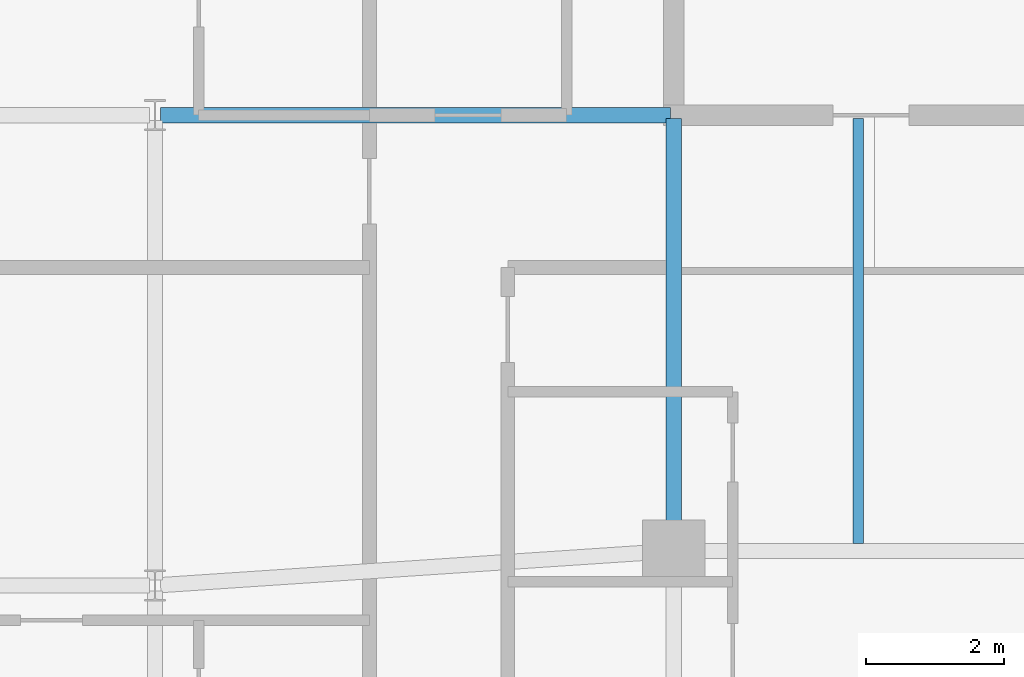
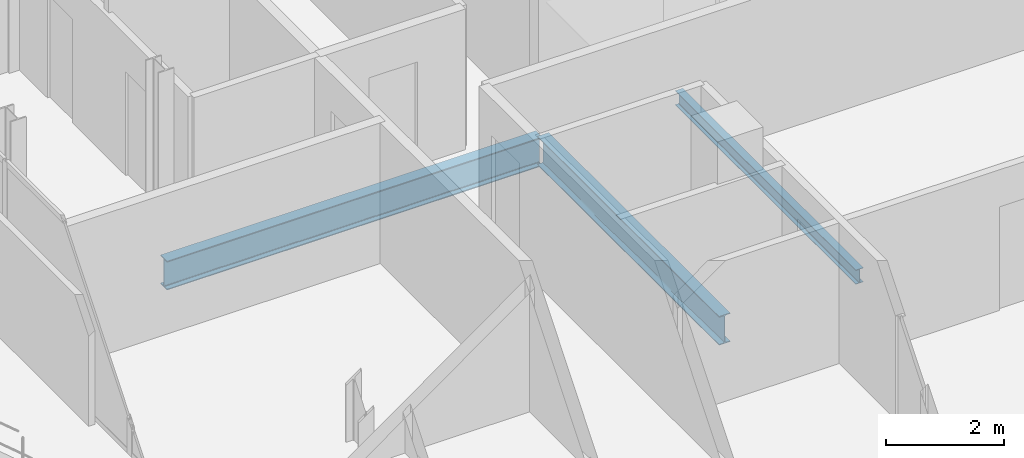
# One storey, part 11 of 22: 3 beams.
"""IFC4 building model written with IfcOpenShell, lengths in metres."""

import ifcopenshell
import ifcopenshell.guid

model = None  # the IFC model being written
_history = None  # IfcOwnerHistory: only IFC2X3 demands one
_inside = {}  # id of a spatial element -> (the spatial element, [elements in it])
_under = {}  # id of a project, library or spatial element -> (it, [spatial elements below it])
_declared = {}  # id of a project -> (the project, [libraries it declares])
_typed = {}  # id of a type object -> (the type object, [elements of that type])
_made_of = {}  # id of a material, layer set ... -> (it, [elements and type objects made of it])


def new_model(schema):
    """Start an empty IFC model of exactly this schema.

    Asked for "IFC4X3", IfcOpenShell would pick the latest addendum, in which some entities
    have other attributes; the version numbers below select the first issue.
    IFC2X3 requires an IfcOwnerHistory on every rooted entity: one is made here for all.
    """
    global model, _history
    if schema == "IFC4X3":
        model = ifcopenshell.file(schema_version=(4, 3, 0, 0))
    else:
        model = ifcopenshell.file(schema=schema)
    _inside.clear()
    _under.clear()
    _declared.clear()
    _typed.clear()
    _made_of.clear()
    _history = None
    if model.schema == "IFC2X3":
        org = make("IfcOrganization", Name="unknown")
        user = make(
            "IfcPersonAndOrganization",
            ThePerson=make("IfcPerson", FamilyName="unknown"),
            TheOrganization=org,
        )
        app = make(
            "IfcApplication",
            ApplicationDeveloper=org,
            Version="unknown",
            ApplicationFullName="unknown",
            ApplicationIdentifier="unknown",
        )
        _history = make(
            "IfcOwnerHistory",
            OwningUser=user,
            OwningApplication=app,
            ChangeAction="ADDED",
            CreationDate=0,
        )
    return model


def make(cls, **values):
    """One entity of the class cls with the attributes given. An attribute that is None is left unset."""
    return model.create_entity(
        cls, **{name: value for name, value in values.items() if value is not None}
    )


def rooted(cls, **values):
    """An entity with a GlobalId (a new one), such as an element, a storey or a relation."""
    return make(cls, GlobalId=ifcopenshell.guid.new(), OwnerHistory=_history, **values)


def si_unit(unit_type, name, prefix=None):
    """IfcSIUnit, for example si_unit("LENGTHUNIT", "METRE", prefix="MILLI")."""
    return make("IfcSIUnit", UnitType=unit_type, Prefix=prefix, Name=name)


def assignment(units):
    """IfcUnitAssignment: the units of a project."""
    return None if units is None else make("IfcUnitAssignment", Units=units)


def point(xyz):
    """IfcCartesianPoint."""
    return None if xyz is None else make("IfcCartesianPoint", Coordinates=xyz)


def direction(xyz):
    """IfcDirection."""
    return None if xyz is None else make("IfcDirection", DirectionRatios=xyz)


def frame(location, z_axis=None, x_axis=None):
    """IfcAxis2Placement3D, a coordinate frame: its origin and axes. An axis left out is left unset."""
    return make(
        "IfcAxis2Placement3D",
        Location=point(location),
        Axis=direction(z_axis),
        RefDirection=direction(x_axis),
    )


def frame_2d(location, x_axis=None):
    """IfcAxis2Placement2D, a coordinate frame in the plane: its origin and x axis."""
    return make(
        "IfcAxis2Placement2D", Location=point(location), RefDirection=direction(x_axis)
    )


def origin():
    """The frame at (0, 0, 0) with its axes left unset."""
    return frame((0.0, 0.0, 0.0))


def origin_2d():
    """The frame at (0, 0) in the plane with its x axis left unset."""
    return frame_2d((0.0, 0.0))


def place(relative_to, where):
    """IfcLocalPlacement: puts the frame where relative to a parent placement (None: the world)."""
    return make(
        "IfcLocalPlacement", PlacementRelTo=relative_to, RelativePlacement=where
    )


def context(
    kind, dimensions, precision=None, world=None, true_north=None, identifier=None
):
    """IfcGeometricRepresentationContext, for example the 3D "Model" context."""
    return make(
        "IfcGeometricRepresentationContext",
        ContextIdentifier=identifier,
        ContextType=kind,
        CoordinateSpaceDimension=dimensions,
        Precision=precision,
        WorldCoordinateSystem=world,
        TrueNorth=true_north,
    )


def subcontext(parent, identifier, kind, view, scale=None):
    """IfcGeometricRepresentationSubContext, for example "Body" below "Model"."""
    return make(
        "IfcGeometricRepresentationSubContext",
        ContextIdentifier=identifier,
        ContextType=kind,
        ParentContext=parent,
        TargetScale=scale,
        TargetView=view,
    )


def project(units=None, contexts=None):
    """IfcProject with its units and contexts."""
    return rooted(
        "IfcProject",
        Name="project",
        RepresentationContexts=contexts,
        UnitsInContext=assignment(units),
    )


def spatial(cls, under=None, at=None, **own):
    """A site, building, storey or space (cls), placed at a placement, below another one or the project."""
    s = rooted(cls, ObjectPlacement=at, **own)
    if under is not None:
        _under.setdefault(under.id(), (under, []))[1].append(s)
    return s


def profile(cls, at=None, kind="AREA", **sizes):
    """A parametric profile (cls). Its sizes go by their IFC names, for example OverallWidth=200.0."""
    return make(cls, ProfileType=kind, Position=at, **sizes)


def i_section(**sizes):
    """IfcIShapeProfileDef."""
    return profile("IfcIShapeProfileDef", **sizes)


def extrude(swept, where, along, depth):
    """IfcExtrudedAreaSolid: the profile swept, set in the frame where, extruded along a direction by depth."""
    return make(
        "IfcExtrudedAreaSolid",
        SweptArea=swept,
        Position=where,
        ExtrudedDirection=direction(along),
        Depth=depth,
    )


def shape(context_of_items, identifier, shape_type, items):
    """IfcShapeRepresentation: the items that make up one representation, for example the "Body"."""
    return make(
        "IfcShapeRepresentation",
        ContextOfItems=context_of_items,
        RepresentationIdentifier=identifier,
        RepresentationType=shape_type,
        Items=items,
    )


def material(Name=None, Category=None):
    """IfcMaterial."""
    return make("IfcMaterial", Name=Name, Category=Category)


def material_profile(
    of_material, cross_section, Name=None, Category=None, Priority=None
):
    """IfcMaterialProfile: a cross section and its material."""
    return make(
        "IfcMaterialProfile",
        Name=Name,
        Material=of_material,
        Profile=cross_section,
        Priority=Priority,
        Category=Category,
    )


def profile_set(profiles, Name=None, composite=None):
    """IfcMaterialProfileSet."""
    return make(
        "IfcMaterialProfileSet",
        Name=Name,
        MaterialProfiles=profiles,
        CompositeProfile=composite,
    )


def made_of(thing, what):
    """Note that an element or type object is made of a material, layer set ...; save() writes the relation."""
    if what is not None:
        _made_of.setdefault(what.id(), (what, []))[1].append(thing)
    return thing


def type_object(cls, material=None, **own):
    """A type object (cls), such as IfcWallType, which elements share."""
    return made_of(rooted(cls, **own), material)


def element(
    cls,
    number,
    at=None,
    inside=None,
    cuts=None,
    type_object=None,
    material=None,
    context=None,
    identifier="Body",
    shape_type=None,
    held_by="IfcProductDefinitionShape",
    body=None,
    shapes=None,
    **own,
):
    """One element of the class cls, such as IfcWall. Its Tag is "e" and its number.

    at: its placement. inside: the storey or other place that contains it. cuts: it is an
    opening in that element (IfcRelVoidsElement). A single representation is given by context,
    identifier, shape_type and body (its items); several are given by shapes. held_by: the class
    of the entity that holds the representations. save() writes the other relations.
    """
    e = rooted(cls, Tag="e%d" % number, ObjectPlacement=at, **own)
    if body is not None:
        shapes = [shape(context, identifier, shape_type, body)]
    if shapes is not None:
        e.Representation = make(held_by, Representations=shapes)
    if inside is not None:
        _inside.setdefault(inside.id(), (inside, []))[1].append(e)
    if cuts is not None:
        rooted(
            "IfcRelVoidsElement", RelatingBuildingElement=cuts, RelatedOpeningElement=e
        )
    if type_object is not None:
        _typed.setdefault(type_object.id(), (type_object, []))[1].append(e)
    return made_of(e, material)


def aggregate(whole, parts):
    """IfcRelAggregates: a whole, such as a stair, and the parts it consists of."""
    return rooted("IfcRelAggregates", RelatingObject=whole, RelatedObjects=parts)


def save(model, path):
    """Write the relations noted so far, then the file.

    IfcRelAggregates (storeys below a building ...), IfcRelContainedInSpatialStructure (elements
    in a storey), IfcRelDefinesByType, IfcRelAssociatesMaterial and IfcRelDeclares: one each for
    every whole, place, type object, material and project.
    """
    for whole, parts in _under.values():
        aggregate(whole, parts)
    for where, things in _inside.values():
        rooted(
            "IfcRelContainedInSpatialStructure",
            RelatedElements=things,
            RelatingStructure=where,
        )
    for kind, things in _typed.values():
        rooted("IfcRelDefinesByType", RelatedObjects=things, RelatingType=kind)
    for what, things in _made_of.values():
        rooted("IfcRelAssociatesMaterial", RelatedObjects=things, RelatingMaterial=what)
    for by, libraries in _declared.values():
        rooted("IfcRelDeclares", RelatingContext=by, RelatedDefinitions=libraries)
    model.write(path)


model = new_model("IFC4")

# Units and contexts
model_context = context("Model", 3, precision=1e-05, world=origin(), true_north=direction((0.0, 1.0)))
body_context = subcontext(model_context, "Body", "Model", "MODEL_VIEW")
ifc_project = project(units=[si_unit("LENGTHUNIT", "METRE"), si_unit("AREAUNIT", "SQUARE_METRE"), si_unit("VOLUMEUNIT", "CUBIC_METRE"), si_unit("PLANEANGLEUNIT", "RADIAN"), si_unit("MASSUNIT", "GRAM", prefix="KILO")], contexts=[model_context])

# Site, building, storey
site_placement = place(None, origin())
site = spatial("IfcSite", under=ifc_project, at=site_placement, CompositionType="ELEMENT")
building_placement = place(site_placement, origin())
building = spatial("IfcBuilding", under=site, at=building_placement, Name="Catumbela Crestline Tower", CompositionType="ELEMENT")
storey_placement = place(building_placement, frame((0.0, 0.0, 226.0)))
storey = spatial("IfcBuildingStorey", under=building, at=storey_placement, Name="L58", CompositionType="ELEMENT", Elevation=226.0)

# Beams
ifc_material = material(Name="Structural steel S355J2", Category="steel")
ifc_material_profile_1 = material_profile(ifc_material, i_section(OverallWidth=0.22, OverallDepth=0.6, WebThickness=0.012, FlangeThickness=0.019, FilletRadius=0.024, at=origin_2d()), Name="IPE 600")
ifc_profile_set_1 = profile_set([ifc_material_profile_1], Name="Structural steel S355J2")
beam_type_1 = type_object("IfcBeamType", Name="BG-IPE600", PredefinedType="BEAM", material=ifc_profile_set_1)
beam_1_placement = place(storey_placement, frame((8.58, 30.8, -0.56), z_axis=(1.0, 0.0, 0.0), x_axis=(0.0, 1.0, 0.0)))
element("IfcBeam", 1, at=beam_1_placement, inside=storey, type_object=beam_type_1, Name="L58 Beam BM-L58-M07", PredefinedType="BEAM", context=body_context, shape_type="SweptSolid", body=[
    extrude(i_section(OverallWidth=0.22, OverallDepth=0.6, WebThickness=0.012, FlangeThickness=0.019, FilletRadius=0.024, at=origin_2d()), origin(), (0.0, 0.0, 1.0), 7.37),
])
beam_2_placement = place(storey_placement, frame((16.0, 24.58, -0.56), z_axis=(0.0, 1.0, 0.0), x_axis=(-1.0, 0.0, 0.0)))
element("IfcBeam", 2, at=beam_2_placement, inside=storey, type_object=beam_type_1, Name="L58 Beam BM-L58-SNS15", PredefinedType="BEAM", context=body_context, shape_type="SweptSolid", body=[
    extrude(i_section(OverallWidth=0.22, OverallDepth=0.6, WebThickness=0.012, FlangeThickness=0.019, FilletRadius=0.024, at=origin_2d()), origin(), (0.0, 0.0, 1.0), 6.17),
])
ifc_material_profile_2 = material_profile(ifc_material, i_section(OverallWidth=0.15, OverallDepth=0.3, WebThickness=0.0071, FlangeThickness=0.0107, FilletRadius=0.015, at=origin_2d()), Name="IPE 300")
ifc_profile_set_2 = profile_set([ifc_material_profile_2], Name="Structural steel S355J2")
beam_type_2 = type_object("IfcBeamType", Name="BJ-IPE300", PredefinedType="JOIST", material=ifc_profile_set_2)
beam_3_placement = place(storey_placement, frame((18.667, 24.61, -0.41), z_axis=(0.0, 1.0, 0.0), x_axis=(-1.0, 0.0, 0.0)))
element("IfcBeam", 3, at=beam_3_placement, inside=storey, type_object=beam_type_2, Name="L58 Joist JS-L58-SP21", PredefinedType="JOIST", context=body_context, shape_type="SweptSolid", body=[
    extrude(i_section(OverallWidth=0.15, OverallDepth=0.3, WebThickness=0.0071, FlangeThickness=0.0107, FilletRadius=0.015, at=origin_2d()), origin(), (0.0, 0.0, 1.0), 6.14),
])

save(model, "model.ifc")
